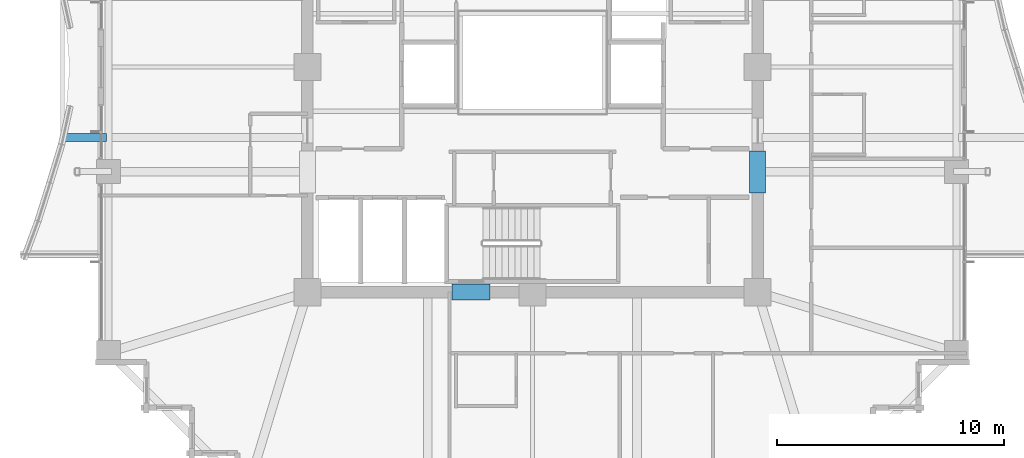
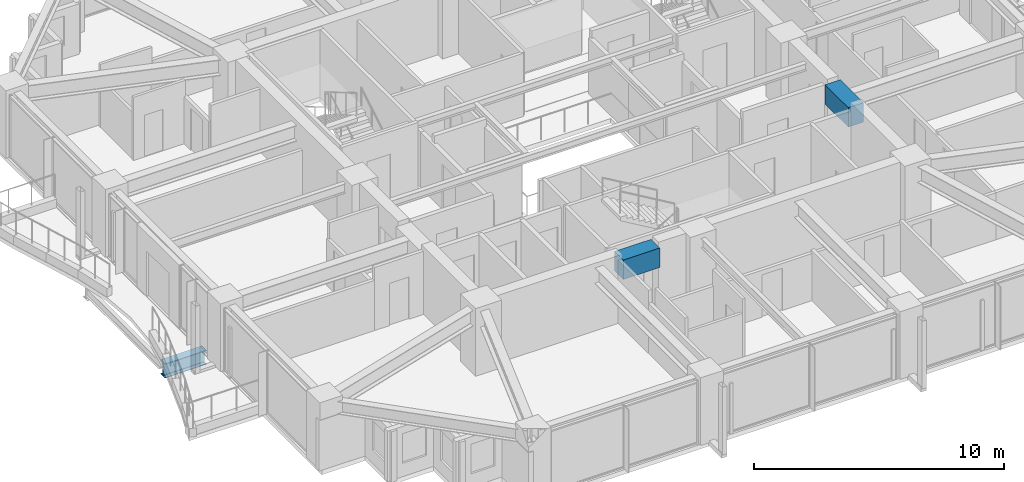
# One storey, part 7 of 35: 3 beams.
"""IFC4 building model written with IfcOpenShell, lengths in metres."""

from ifc_helpers import new_model, si_unit, direction, frame, origin, origin_2d, place, context, subcontext, project, spatial, rectangle, i_section, extrude, material, material_profile, profile_set, type_object, element, save


model = new_model("IFC4")

# Units and contexts
model_context = context("Model", 3, precision=1e-05, world=origin(), true_north=direction((0.0, 1.0)))
body_context = subcontext(model_context, "Body", "Model", "MODEL_VIEW")
ifc_project = project(units=[si_unit("LENGTHUNIT", "METRE"), si_unit("AREAUNIT", "SQUARE_METRE"), si_unit("VOLUMEUNIT", "CUBIC_METRE"), si_unit("PLANEANGLEUNIT", "RADIAN"), si_unit("MASSUNIT", "GRAM", prefix="KILO")], contexts=[model_context])

# Site, building, storey
site_placement = place(None, origin())
site = spatial("IfcSite", under=ifc_project, at=site_placement, CompositionType="ELEMENT")
building_placement = place(site_placement, origin())
building = spatial("IfcBuilding", under=site, at=building_placement, Name="Kolvaren Belvedere", CompositionType="ELEMENT")
storey_placement = place(building_placement, frame((0.0, 0.0, 115.10009765625)))
storey = spatial("IfcBuildingStorey", under=building, at=storey_placement, Name="L33", CompositionType="ELEMENT", Elevation=115.10009765625)

# Beams
ifc_material_1 = material(Name="Structural steel ASTM A992 Grade 50", Category="steel")
ifc_material_profile_1 = material_profile(ifc_material_1, i_section(OverallWidth=0.35498046875, OverallDepth=0.696044921875, WebThickness=0.015380859375, FlangeThickness=0.02490234375, FilletRadius=0.02197265625, at=origin_2d()), Name="W27X146")
ifc_profile_set_1 = profile_set([ifc_material_profile_1], Name="Structural steel ASTM A992 Grade 50")
beam_type_1 = type_object("IfcBeamType", Name="BM-CANT-BAL", PredefinedType="BEAM", material=ifc_profile_set_1)
beam_1_placement = place(storey_placement, frame((-18.7451171875, -3.10009765625, -0.568115234375), z_axis=(-1.0, 0.0, 0.0), x_axis=(0.0, -1.0, 0.0)))
element("IfcBeam", 1, at=beam_1_placement, inside=storey, type_object=beam_type_1, Name="L33 Planted Balcony Cantilever BAL-W-1", PredefinedType="BEAM", context=body_context, shape_type="SweptSolid", body=[
    extrude(i_section(OverallWidth=0.35498046875, OverallDepth=0.696044921875, WebThickness=0.015380859375, FlangeThickness=0.02490234375, FilletRadius=0.02197265625, at=origin_2d()), origin(), (0.0, 0.0, 1.0), 1.919189453125),
])
ifc_material_2 = material(Name="Concrete C60/75", Category="concrete")
ifc_material_profile_2 = material_profile(ifc_material_2, rectangle(XDim=0.699951171875, YDim=0.949951171875, at=origin_2d()), Name="RC 700X950")
ifc_profile_set_2 = profile_set([ifc_material_profile_2], Name="Concrete C60/75")
beam_type_2 = type_object("IfcBeamType", Name="BM-LINT-950", PredefinedType="LINTEL", material=ifc_profile_set_2)
beam_2_placement = place(storey_placement, frame((-3.5400390625, -9.89990234375, 2.60498046875), z_axis=(1.0, 0.0, 0.0), x_axis=(0.0, 1.0, 0.0)))
element("IfcBeam", 2, at=beam_2_placement, inside=storey, type_object=beam_type_2, Name="L33 South Core Coupling Lintel", PredefinedType="LINTEL", context=body_context, shape_type="SweptSolid", body=[
    extrude(rectangle(XDim=0.699951171875, YDim=0.949951171875, at=origin_2d()), origin(), (0.0, 0.0, 1.0), 1.679931640625),
])
beam_3_placement = place(storey_placement, frame((9.89990234375, -5.550048828125, 2.60498046875), z_axis=(0.0, 1.0, 0.0), x_axis=(-1.0, 0.0, 0.0)))
element("IfcBeam", 3, at=beam_3_placement, inside=storey, type_object=beam_type_2, Name="L33 East Core Coupling Lintel", PredefinedType="LINTEL", context=body_context, shape_type="SweptSolid", body=[
    extrude(rectangle(XDim=0.699951171875, YDim=0.949951171875, at=origin_2d()), origin(), (0.0, 0.0, 1.0), 1.85009765625),
])

save(model, "model.ifc")
